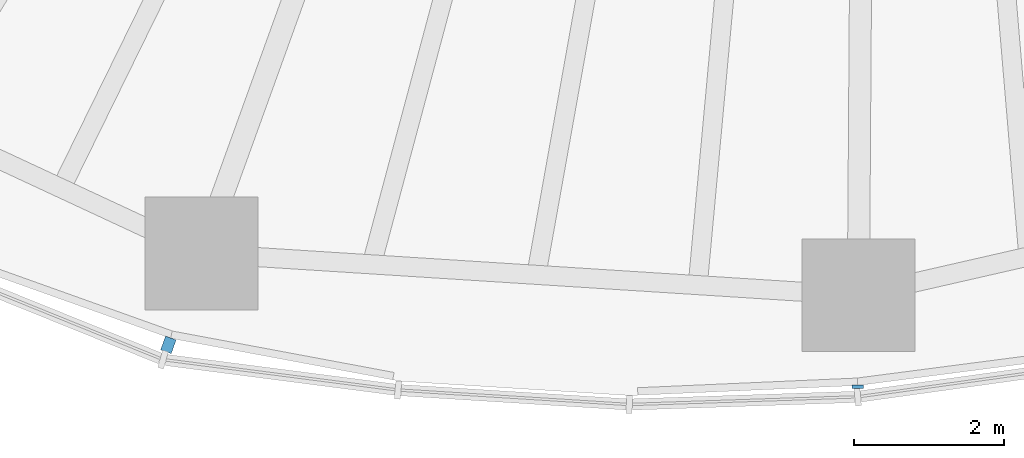
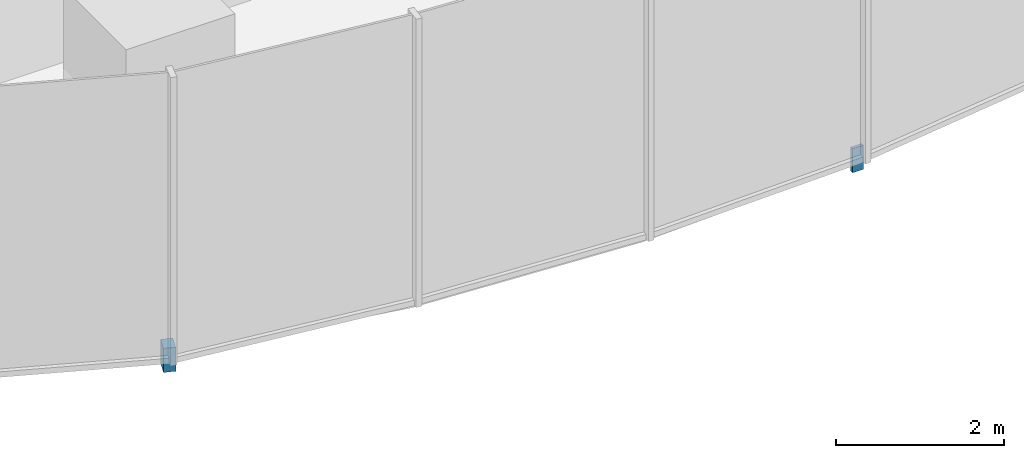
# One storey, part 12 of 18: 2 discrete accessories.
"""IFC4 building model written with IfcOpenShell, lengths in metres."""

from ifc_helpers import new_model, si_unit, direction, frame, origin, origin_2d, place, context, subcontext, project, spatial, rectangle, extrude, material, type_object, element, save


model = new_model("IFC4")

# Units and contexts
model_context = context("Model", 3, precision=1e-05, world=origin(), true_north=direction((0.0, 1.0)))
body_context = subcontext(model_context, "Body", "Model", "MODEL_VIEW")
ifc_project = project(units=[si_unit("LENGTHUNIT", "METRE"), si_unit("AREAUNIT", "SQUARE_METRE"), si_unit("VOLUMEUNIT", "CUBIC_METRE"), si_unit("PLANEANGLEUNIT", "RADIAN"), si_unit("MASSUNIT", "GRAM", prefix="KILO")], contexts=[model_context])

# Site, building, storey
site_placement = place(None, origin())
site = spatial("IfcSite", under=ifc_project, at=site_placement, CompositionType="ELEMENT")
building_placement = place(site_placement, origin())
building = spatial("IfcBuilding", under=site, at=building_placement, Name="Ghaith Harvest Tower", CompositionType="ELEMENT")
storey_placement = place(building_placement, frame((0.0, 0.0, 138.60009765625)))
storey = spatial("IfcBuildingStorey", under=building, at=storey_placement, Name="L29", CompositionType="ELEMENT", Elevation=138.60009765625)

# Discrete accessories
ifc_material_1 = material(Name="Stainless steel grade 1.4401", Category="steel")
discrete_accessory_type_1 = type_object("IfcDiscreteAccessoryType", Name="CURTAIN WALL BRACKET 195", PredefinedType="BRACKET", material=ifc_material_1)
discrete_accessory_1_placement = place(storey_placement, frame((-9.348388671875, -25.883544921875, -0.250244140625), z_axis=(0.0, 0.0, 1.0), x_axis=(-0.33969945263, -0.940534040789, 0.0)))
element("IfcDiscreteAccessory", 1, at=discrete_accessory_1_placement, inside=storey, type_object=discrete_accessory_type_1, Name="CW-L bracket 1 bay 15 L29", PredefinedType="BRACKET", context=body_context, shape_type="SweptSolid", body=[
    extrude(rectangle(XDim=0.195068359375, YDim=0.14990234375, at=origin_2d()), origin(), (0.0, 0.0, 1.0), 0.35009765625),
])
ifc_material_2 = material(Name="Stainless steel grade 1.4401", Category="steel")
discrete_accessory_type_2 = type_object("IfcDiscreteAccessoryType", Name="CURTAIN WALL BRACKET 45", PredefinedType="BRACKET", material=ifc_material_2)
discrete_accessory_2_placement = place(storey_placement, frame((-0.180908203125, -26.441162109375, -0.250244140625), z_axis=(0.0, 0.0, 1.0), x_axis=(-0.006843747957, -0.999976581283, 0.0)))
element("IfcDiscreteAccessory", 2, at=discrete_accessory_2_placement, inside=storey, type_object=discrete_accessory_type_2, Name="CW-L bracket 1 bay 16 L29", PredefinedType="BRACKET", context=body_context, shape_type="SweptSolid", body=[
    extrude(rectangle(XDim=0.044921875, YDim=0.14990234375, at=origin_2d()), origin(), (0.0, 0.0, 1.0), 0.35009765625),
])

save(model, "model.ifc")
